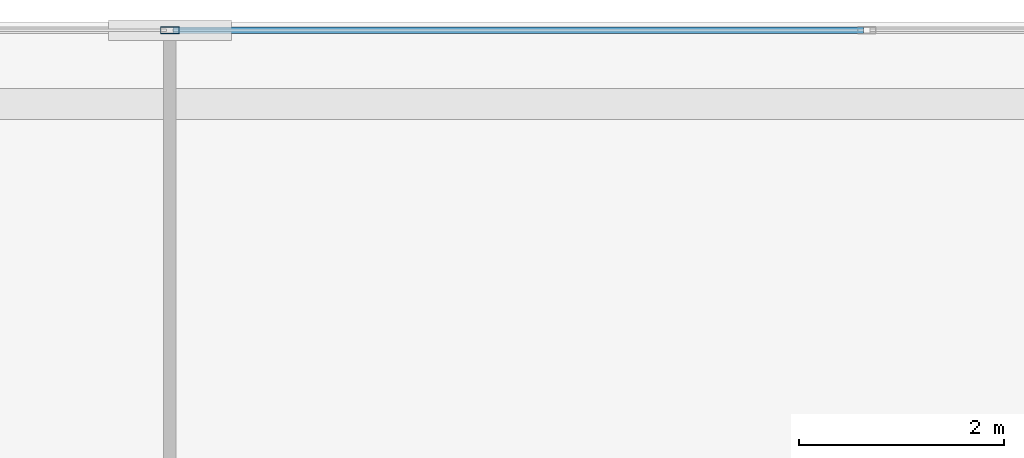
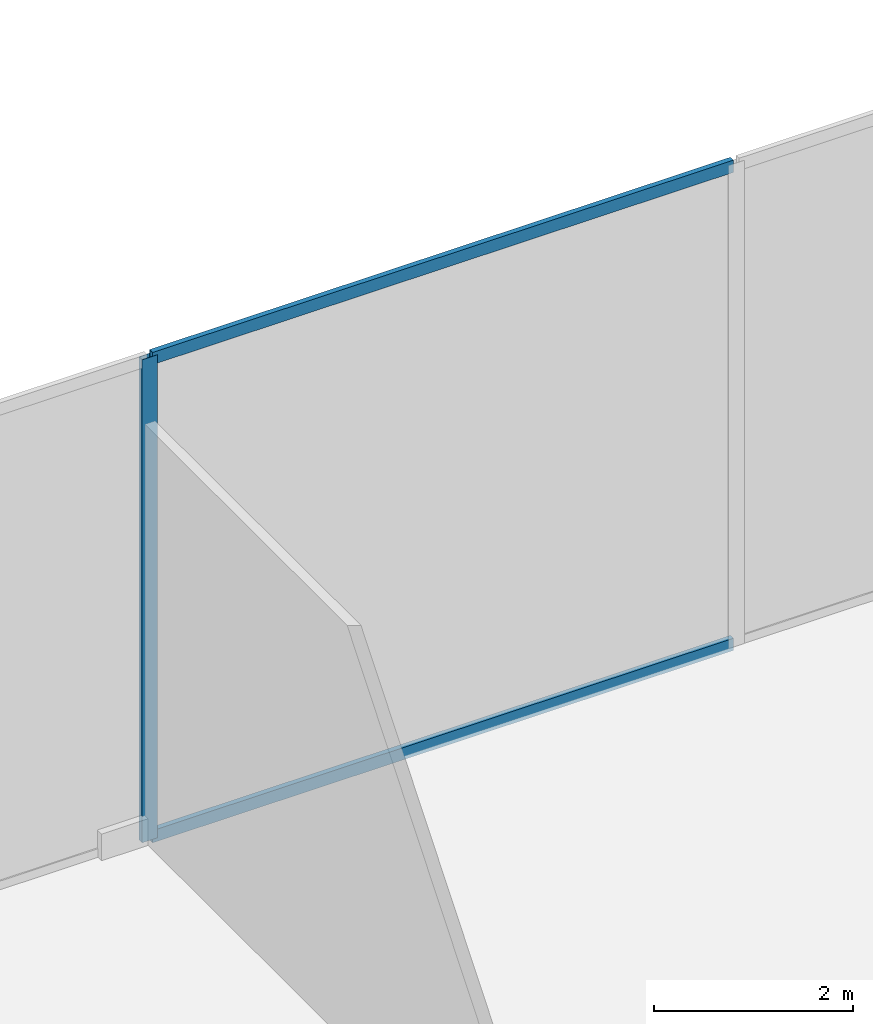
# One storey, part 24 of 41: 3 members, 1 element without a shape of its own.
"""IFC4 building model written with IfcOpenShell, lengths in metres."""

from ifc_helpers import new_model, si_unit, direction, frame, origin, origin_2d, place, context, subcontext, project, spatial, hollow_rectangle, extrude, source, transform, mapped, material, layer, layer_set, material_profile, profile_set, type_object, element, aggregate, save


model = new_model("IFC4")

# Units and contexts
model_context = context("Model", 3, precision=1e-05, world=origin(), true_north=direction((0.0, 1.0)))
body_context = subcontext(model_context, "Body", "Model", "MODEL_VIEW")
ifc_project = project(units=[si_unit("LENGTHUNIT", "METRE"), si_unit("AREAUNIT", "SQUARE_METRE"), si_unit("VOLUMEUNIT", "CUBIC_METRE"), si_unit("PLANEANGLEUNIT", "RADIAN"), si_unit("MASSUNIT", "GRAM", prefix="KILO"), si_unit("THERMODYNAMICTEMPERATUREUNIT", "KELVIN"), si_unit("POWERUNIT", "WATT")], contexts=[model_context])

# Site, building, storey
site_placement = place(None, origin())
site = spatial("IfcSite", under=ifc_project, at=site_placement, CompositionType="ELEMENT")
building_placement = place(site_placement, origin())
building = spatial("IfcBuilding", under=site, at=building_placement, Name="Yunzhuo Pagoda Commons", CompositionType="ELEMENT")
storey_placement = place(building_placement, frame((0.0, 0.0, 19.199951171875)))
storey = spatial("IfcBuildingStorey", under=building, at=storey_placement, Name="L05", CompositionType="ELEMENT", Elevation=19.199951171875)

# Curtain wall, members
ifc_material = material(Name="Anodized aluminium 6063-T6", Category="aluminium")
ifc_layer = layer(ifc_material, 0.179931640625)
ifc_layer_set = layer_set([ifc_layer], Name="Anodized aluminium 6063-T6")
curtain_wall_type = type_object("IfcCurtainWallType", Name="CW-POD Waterfront Podium Curtain Wall", PredefinedType="NOTDEFINED", material=ifc_layer_set)
curtain_wall_placement = place(storey_placement, origin())
curtain_wall = element("IfcCurtainWall", 1, at=curtain_wall_placement, inside=storey, type_object=curtain_wall_type, Name="L05 curtain wall CW-L05-N3", PredefinedType="NOTDEFINED")
ifc_material_profile_1 = material_profile(ifc_material, hollow_rectangle(XDim=0.06005859375, YDim=0.14990234375, WallThickness=0.00390625, at=origin_2d()), Name="Anodized aluminium 6063-T6")
ifc_profile_set_1 = profile_set([ifc_material_profile_1], Name="Anodized aluminium 6063-T6")
member_type_1 = type_object("IfcMemberType", Name="CW-POD-T Transom RHS 150x60x4", PredefinedType="USERDEFINED", material=ifc_profile_set_1)
shared_shape_1 = source(origin(), body_context, "Body", "SweptSolid", [
    extrude(hollow_rectangle(XDim=0.06005859375, YDim=0.14990234375, WallThickness=0.00390625, at=origin_2d()), origin(), (0.0, 0.0, 1.0), 6.735107421875),
])
member_1_placement = place(storey_placement, frame((48.032470703125, 81.919921875, 0.0302734375), z_axis=(1.0, 0.0, 0.0), x_axis=(0.0, 1.0, 0.0)))
member_1 = element("IfcMember", 2, at=member_1_placement, type_object=member_type_1, Name="CW transom 3.1", ObjectType="TRANSOM", PredefinedType="USERDEFINED", context=body_context, shape_type="MappedRepresentation", body=[
    mapped(shared_shape_1, transform((0.0, 0.0, 0.0), scale=1.0)),
])
member_2_placement = place(storey_placement, frame((48.032470703125, 81.919921875, 5.89013671875), z_axis=(1.0, 0.0, 0.0), x_axis=(0.0, 1.0, 0.0)))
member_2 = element("IfcMember", 3, at=member_2_placement, type_object=member_type_1, Name="CW transom 3.2", ObjectType="TRANSOM", PredefinedType="USERDEFINED", context=body_context, shape_type="MappedRepresentation", body=[
    mapped(shared_shape_1, transform((0.0, 0.0, 0.0), scale=1.0)),
])
ifc_material_profile_2 = material_profile(ifc_material, hollow_rectangle(XDim=0.06494140625, YDim=0.179931640625, WallThickness=0.00390625, at=origin_2d()), Name="Anodized aluminium 6063-T6")
ifc_profile_set_2 = profile_set([ifc_material_profile_2], Name="Anodized aluminium 6063-T6")
member_type_2 = type_object("IfcMemberType", Name="CW-POD-M Mullion RHS 180x65x4", PredefinedType="MULLION", material=ifc_profile_set_2)
shared_shape_2 = source(origin(), body_context, "Body", "SweptSolid", [
    extrude(hollow_rectangle(XDim=0.06494140625, YDim=0.179931640625, WallThickness=0.00390625, at=origin_2d()), origin(), (0.0, 0.0, 1.0), 5.920166015625),
])
member_3_placement = place(storey_placement, frame((48.0, 81.919921875, 0.0), z_axis=(0.0, 0.0, 1.0), x_axis=(0.0, 1.0, 0.0)))
member_3 = element("IfcMember", 4, at=member_3_placement, type_object=member_type_2, Name="CW mullion 3", PredefinedType="MULLION", context=body_context, shape_type="MappedRepresentation", body=[
    mapped(shared_shape_2, transform((0.0, 0.0, 0.0), scale=1.0)),
])
aggregate(curtain_wall, [member_3, member_1, member_2])

save(model, "model.ifc")
